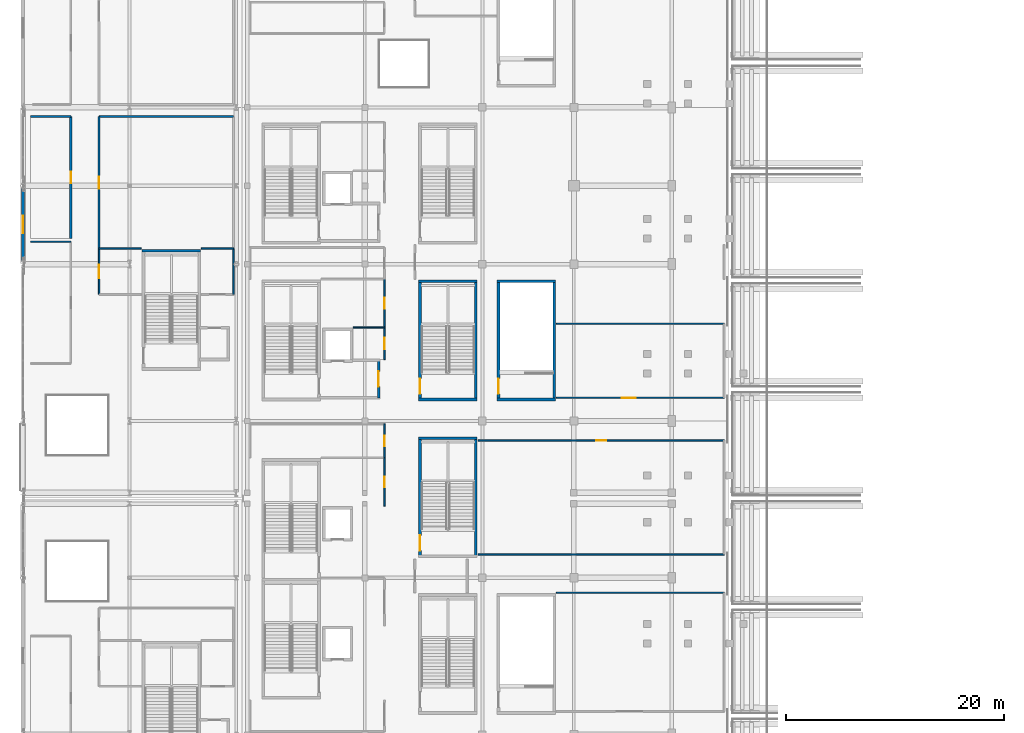
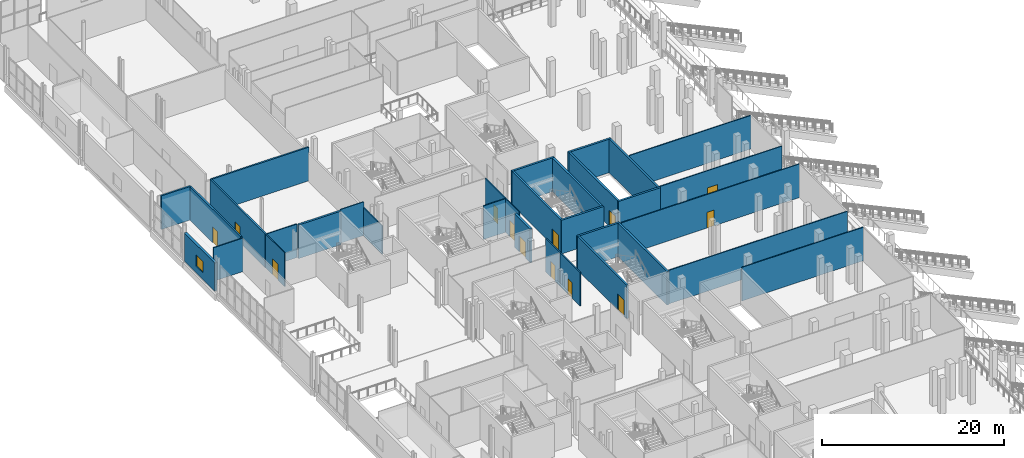
# One storey, part 75 of 129: 33 walls, 13 doors, 1 window, 14 openings.
"""IFC4 building model written with IfcOpenShell, lengths in metres."""

from ifc_helpers import new_model, si_unit, direction, frame, frame_2d, origin, place, context, subcontext, project, spatial, rectangle, extrude, material, layer, layer_set, type_object, element, fill, save


model = new_model("IFC4")

# Units and contexts
model_context = context("Model", 3, precision=1e-05, world=origin(), true_north=direction((0.0, 1.0)))
body_context = subcontext(model_context, "Body", "Model", "MODEL_VIEW")
ifc_project = project(units=[si_unit("LENGTHUNIT", "METRE"), si_unit("AREAUNIT", "SQUARE_METRE"), si_unit("VOLUMEUNIT", "CUBIC_METRE"), si_unit("PLANEANGLEUNIT", "RADIAN"), si_unit("MASSUNIT", "GRAM", prefix="KILO")], contexts=[model_context])

# Site, building, storey
site_placement = place(None, origin())
site = spatial("IfcSite", under=ifc_project, at=site_placement, CompositionType="ELEMENT")
building_placement = place(site_placement, origin())
building = spatial("IfcBuilding", under=site, at=building_placement, Name="Koshinbarg Plaza Stadium", CompositionType="ELEMENT")
storey_placement = place(building_placement, frame((0.0, 0.0, 5.39990234375)))
storey = spatial("IfcBuildingStorey", under=building, at=storey_placement, Name="L01", CompositionType="ELEMENT", Elevation=5.39990234375)

# Walls
ifc_material_1 = material(Name="Concrete C40/50", Category="concrete")
ifc_layer_1 = layer(ifc_material_1, 0.25)
ifc_layer_set_1 = layer_set([ifc_layer_1], Name="Concrete C40/50")
wall_type_1 = type_object("IfcWallType", Name="WL-CORE-250", PredefinedType="SHEAR", material=ifc_layer_set_1)
wall_1_placement = place(storey_placement, frame((20.320068359375, 98.72509765625, 0.0), z_axis=(0.0, 0.0, 1.0), x_axis=(-1.0, 0.0, 0.0)))
element("IfcWall", 1, at=wall_1_placement, inside=storey, type_object=wall_type_1, Name="L01 core stair shear wall C15-far IWL-L01-0335", PredefinedType="SHEAR", context=body_context, shape_type="SweptSolid", body=[
    extrude(rectangle(XDim=5.3701171875, YDim=0.25, at=frame_2d((2.68505859375, 0.0))), origin(), (0.0, 0.0, 1.0), 4.5),
])
wall_2_placement = place(storey_placement, frame((45.719970703125, 81.52490234375, 0.0), z_axis=(0.0, 0.0, 1.0), x_axis=(-1.0, 0.0, 0.0)))
element("IfcWall", 2, at=wall_2_placement, inside=storey, type_object=wall_type_1, Name="L01 vomitory stair shear wall VX04-far IWL-L01-0407", PredefinedType="SHEAR", context=body_context, shape_type="SweptSolid", body=[
    extrude(rectangle(XDim=5.369873046875, YDim=0.25, at=frame_2d((2.68505859375, 0.0))), origin(), (0.0, 0.0, 1.0), 4.5),
])

# Wall, opening, door
wall_3_placement = place(storey_placement, frame((40.47509765625, 70.675048828125, 0.0), z_axis=(0.0, 0.0, 1.0), x_axis=(0.0, 1.0, 0.0)))
wall_3 = element("IfcWall", 3, at=wall_3_placement, inside=storey, type_object=wall_type_1, Name="L01 vomitory stair shear wall VX04-left IWL-L01-0408", PredefinedType="SHEAR", context=body_context, shape_type="SweptSolid", body=[
    extrude(rectangle(XDim=10.849853515625, YDim=0.25, at=frame_2d((5.4248046875, 0.0))), origin(), (0.0, 0.0, 1.0), 4.5),
])
opening_1_placement = place(wall_3_placement, frame((0.52001953125, 0.0, 0.0)))
opening_1 = element("IfcOpeningElement", 4, at=opening_1_placement, cuts=wall_3, Name="Opening D-0164", PredefinedType="OPENING", context=body_context, shape_type="SweptSolid", body=[
    extrude(rectangle(XDim=1.39990234375, YDim=2.14990234375, at=frame_2d((0.699951171875, 1.074951171875))), frame((0.0, 0.135009765625, 0.0), z_axis=(0.0, -1.0, 0.0), x_axis=(1.0, 0.0, 0.0)), (0.0, 0.0, 1.0), 0.27001953125),
])
ifc_material_2 = material(Name="Painted galvanized steel fire door", Category="steel")
door_type_1 = type_object("IfcDoorType", Name="DR-STAIR-1400", OperationType="NOTDEFINED", PredefinedType="DOOR", material=ifc_material_2)
door_1_placement = place(opening_1_placement, frame((1.39990234375, 0.0, 0.0), z_axis=(0.0, 0.0, 1.0), x_axis=(-1.0, 0.0, 0.0)))
door_1 = element("IfcDoor", 5, at=door_1_placement, inside=storey, type_object=door_type_1, Name="L01 vomitory exit stair door VX04", OperationType="SINGLE_SWING_RIGHT", OverallHeight=2.14990234375, OverallWidth=1.39990234375, PredefinedType="DOOR", context=body_context, shape_type="SweptSolid", body=[
    extrude(rectangle(XDim=1.39990234375, YDim=2.14990234375, at=frame_2d((0.699951171875, 1.074951171875))), frame((0.0, 0.02490234375, 0.0), z_axis=(0.0, -1.0, 0.0), x_axis=(1.0, 0.0, 0.0)), (0.0, 0.0, 1.0), 0.050048828125),
])
fill(opening_1, door_1)

# Walls
wall_4_placement = place(storey_placement, frame((45.594970703125, 70.675048828125, 0.0), z_axis=(0.0, 0.0, 1.0), x_axis=(0.0, 1.0, 0.0)))
element("IfcWall", 6, at=wall_4_placement, inside=storey, type_object=wall_type_1, Name="L01 vomitory stair shear wall VX04-right IWL-L01-0409", PredefinedType="SHEAR", context=body_context, shape_type="SweptSolid", body=[
    extrude(rectangle(XDim=10.849853515625, YDim=0.25, at=frame_2d((5.4248046875, 0.0))), origin(), (0.0, 0.0, 1.0), 4.5),
])
for number, where, z_axis, x_axis, name in (
    (7, (40.35009765625, 85.074951171875, 0.0), (0.0, 0.0, 1.0), (1.0, 0.0, 0.0), "L01 vomitory stair shear wall VX05-near IWL-L01-0422"),
    (8, (45.719970703125, 95.925048828125, 0.0), (0.0, 0.0, 1.0), (-1.0, 0.0, 0.0), "L01 vomitory stair shear wall VX05-far IWL-L01-0423"),
):
    element("IfcWall", number, at=place(storey_placement, frame(where, z_axis=z_axis, x_axis=x_axis)), inside=storey, type_object=wall_type_1, Name=name, PredefinedType="SHEAR", context=body_context, shape_type="SweptSolid", body=[
        extrude(rectangle(XDim=5.369873046875, YDim=0.25, at=frame_2d((2.68505859375, 0.0))), origin(), (0.0, 0.0, 1.0), 4.5),
    ])

# Wall, opening, door
wall_5_placement = place(storey_placement, frame((40.47509765625, 85.074951171875, 0.0), z_axis=(0.0, 0.0, 1.0), x_axis=(0.0, 1.0, 0.0)))
wall_5 = element("IfcWall", 9, at=wall_5_placement, inside=storey, type_object=wall_type_1, Name="L01 vomitory stair shear wall VX05-left IWL-L01-0424", PredefinedType="SHEAR", context=body_context, shape_type="SweptSolid", body=[
    extrude(rectangle(XDim=10.85009765625, YDim=0.25, at=frame_2d((5.425048828125, 0.0))), origin(), (0.0, 0.0, 1.0), 4.5),
])
opening_2_placement = place(wall_5_placement, frame((0.52001953125, 0.0, 0.0)))
opening_2 = element("IfcOpeningElement", 10, at=opening_2_placement, cuts=wall_5, Name="Opening D-0168", PredefinedType="OPENING", context=body_context, shape_type="SweptSolid", body=[
    extrude(rectangle(XDim=1.39990234375, YDim=2.14990234375, at=frame_2d((0.699951171875, 1.074951171875))), frame((0.0, 0.135009765625, 0.0), z_axis=(0.0, -1.0, 0.0), x_axis=(1.0, 0.0, 0.0)), (0.0, 0.0, 1.0), 0.27001953125),
])
door_2_placement = place(opening_2_placement, frame((1.39990234375, 0.0, 0.0), z_axis=(0.0, 0.0, 1.0), x_axis=(-1.0, 0.0, 0.0)))
door_2 = element("IfcDoor", 11, at=door_2_placement, inside=storey, type_object=door_type_1, Name="L01 vomitory exit stair door VX05", OperationType="SINGLE_SWING_LEFT", OverallHeight=2.14990234375, OverallWidth=1.39990234375, PredefinedType="DOOR", context=body_context, shape_type="SweptSolid", body=[
    extrude(rectangle(XDim=1.39990234375, YDim=2.14990234375, at=frame_2d((0.699951171875, 1.074951171875))), frame((0.0, 0.02490234375, 0.0), z_axis=(0.0, -1.0, 0.0), x_axis=(1.0, 0.0, 0.0)), (0.0, 0.0, 1.0), 0.050048828125),
])
fill(opening_2, door_2)

# Walls
wall_6_placement = place(storey_placement, frame((45.594970703125, 85.074951171875, 0.0), z_axis=(0.0, 0.0, 1.0), x_axis=(0.0, 1.0, 0.0)))
element("IfcWall", 12, at=wall_6_placement, inside=storey, type_object=wall_type_1, Name="L01 vomitory stair shear wall VX05-right IWL-L01-0425", PredefinedType="SHEAR", context=body_context, shape_type="SweptSolid", body=[
    extrude(rectangle(XDim=10.85009765625, YDim=0.25, at=frame_2d((5.425048828125, 0.0))), origin(), (0.0, 0.0, 1.0), 4.5),
])
for number, where, z_axis, x_axis, name in (
    (13, (47.550048828125, 85.074951171875, 0.0), (0.0, 0.0, 1.0), (1.0, 0.0, 0.0), "L01 vomitory stair shear wall VL03-near IWL-L01-0566"),
    (14, (52.919921875, 95.925048828125, 0.0), (0.0, 0.0, 1.0), (-1.0, 0.0, 0.0), "L01 vomitory stair shear wall VL03-far IWL-L01-0567"),
):
    element("IfcWall", number, at=place(storey_placement, frame(where, z_axis=z_axis, x_axis=x_axis)), inside=storey, type_object=wall_type_1, Name=name, PredefinedType="SHEAR", context=body_context, shape_type="SweptSolid", body=[
        extrude(rectangle(XDim=5.369873046875, YDim=0.25, at=frame_2d((2.68505859375, 0.0))), origin(), (0.0, 0.0, 1.0), 4.5),
    ])

# Wall, opening, door
wall_7_placement = place(storey_placement, frame((47.675048828125, 85.074951171875, 0.0), z_axis=(0.0, 0.0, 1.0), x_axis=(0.0, 1.0, 0.0)))
wall_7 = element("IfcWall", 15, at=wall_7_placement, inside=storey, type_object=wall_type_1, Name="L01 vomitory stair shear wall VL03-left IWL-L01-0568", PredefinedType="SHEAR", context=body_context, shape_type="SweptSolid", body=[
    extrude(rectangle(XDim=10.85009765625, YDim=0.25, at=frame_2d((5.425048828125, 0.0))), origin(), (0.0, 0.0, 1.0), 4.5),
])
opening_3_placement = place(wall_7_placement, frame((0.52001953125, 0.0, 0.0)))
opening_3 = element("IfcOpeningElement", 16, at=opening_3_placement, cuts=wall_7, Name="Opening D-0204", PredefinedType="OPENING", context=body_context, shape_type="SweptSolid", body=[
    extrude(rectangle(XDim=1.39990234375, YDim=2.14990234375, at=frame_2d((0.699951171875, 1.074951171875))), frame((0.0, 0.135009765625, 0.0), z_axis=(0.0, -1.0, 0.0), x_axis=(1.0, 0.0, 0.0)), (0.0, 0.0, 1.0), 0.27001953125),
])
door_3_placement = place(opening_3_placement, frame((1.39990234375, 0.0, 0.0), z_axis=(0.0, 0.0, 1.0), x_axis=(-1.0, 0.0, 0.0)))
door_3 = element("IfcDoor", 17, at=door_3_placement, inside=storey, type_object=door_type_1, Name="L01 vomitory exit stair door VL03", OperationType="SINGLE_SWING_LEFT", OverallHeight=2.14990234375, OverallWidth=1.39990234375, PredefinedType="DOOR", context=body_context, shape_type="SweptSolid", body=[
    extrude(rectangle(XDim=1.39990234375, YDim=2.14990234375, at=frame_2d((0.699951171875, 1.074951171875))), frame((0.0, 0.02490234375, 0.0), z_axis=(0.0, -1.0, 0.0), x_axis=(1.0, 0.0, 0.0)), (0.0, 0.0, 1.0), 0.050048828125),
])
fill(opening_3, door_3)

# Wall
wall_8_placement = place(storey_placement, frame((52.794921875, 85.074951171875, 0.0), z_axis=(0.0, 0.0, 1.0), x_axis=(0.0, 1.0, 0.0)))
element("IfcWall", 18, at=wall_8_placement, inside=storey, type_object=wall_type_1, Name="L01 vomitory stair shear wall VL03-right IWL-L01-0569", PredefinedType="SHEAR", context=body_context, shape_type="SweptSolid", body=[
    extrude(rectangle(XDim=10.85009765625, YDim=0.25, at=frame_2d((5.425048828125, 0.0))), origin(), (0.0, 0.0, 1.0), 4.5),
])

# Wall, opening, door
wall_9_placement = place(storey_placement, frame((36.675048828125, 85.22509765625, 0.0), z_axis=(0.0, 0.0, 1.0), x_axis=(0.0, 1.0, 0.0)))
wall_9 = element("IfcWall", 19, at=wall_9_placement, inside=storey, type_object=wall_type_1, Name="L01 firefighting lobby wall C05-E IWL-L01-0775", PredefinedType="SHEAR", context=body_context, shape_type="SweptSolid", body=[
    extrude(rectangle(XDim=3.449951171875, YDim=0.25, at=frame_2d((1.72509765625, 0.0))), origin(), (0.0, 0.0, 1.0), 4.5),
])
opening_4_placement = place(wall_9_placement, frame((1.02490234375, 0.0, 0.0)))
opening_4 = element("IfcOpeningElement", 20, at=opening_4_placement, cuts=wall_9, Name="Opening D-0260", PredefinedType="OPENING", context=body_context, shape_type="SweptSolid", body=[
    extrude(rectangle(XDim=1.39990234375, YDim=2.14990234375, at=frame_2d((0.699951171875, 1.074951171875))), frame((0.0, 0.135009765625, 0.0), z_axis=(0.0, -1.0, 0.0), x_axis=(1.0, 0.0, 0.0)), (0.0, 0.0, 1.0), 0.27001953125),
])
ifc_material_3 = material(Name="Smoke-sealed steel firefighting lobby door", Category="steel")
door_type_2 = type_object("IfcDoorType", Name="DR-FFLOB-1400", OperationType="NOTDEFINED", PredefinedType="DOOR", material=ifc_material_3)
door_4_placement = place(opening_4_placement, origin())
door_4 = element("IfcDoor", 21, at=door_4_placement, inside=storey, type_object=door_type_2, Name="L01 firefighting lobby fire door C05", OperationType="DOUBLE_DOOR_SINGLE_SWING", OverallHeight=2.14990234375, OverallWidth=1.39990234375, PredefinedType="DOOR", context=body_context, shape_type="SweptSolid", body=[
    extrude(rectangle(XDim=1.39990234375, YDim=2.14990234375, at=frame_2d((0.699951171875, 1.074951171875))), frame((0.0, 0.02490234375, 0.0), z_axis=(0.0, -1.0, 0.0), x_axis=(1.0, 0.0, 0.0)), (0.0, 0.0, 1.0), 0.050048828125),
])
fill(opening_4, door_4)

# Wall, opening, window
ifc_material_4 = material(Name="Off-white mineral plaster insulated wall", Category="masonry")
ifc_layer_2 = layer(ifc_material_4, 0.300048828125)
ifc_layer_set_2 = layer_set([ifc_layer_2], Name="Off-white mineral plaster insulated wall")
wall_type_2 = type_object("IfcWallType", Name="WL-EXT-300", PredefinedType="SOLIDWALL", material=ifc_layer_set_2)
wall_10_placement = place(storey_placement, frame((4.0, 97.794921875, 0.0), z_axis=(0.0, 0.0, 1.0), x_axis=(0.0, 1.0, 0.0)))
wall_10 = element("IfcWall", 22, at=wall_10_placement, inside=storey, type_object=wall_type_2, Name="L01 exterior envelope wall EWL-L01-0077", PredefinedType="SOLIDWALL", context=body_context, shape_type="SweptSolid", body=[
    extrude(rectangle(XDim=6.681640625, YDim=0.300048828125, at=frame_2d((3.3408203125, 0.0))), origin(), (0.0, 0.0, 1.0), 3.780029296875),
])
opening_5_placement = place(wall_10_placement, frame((2.540771484375, 0.0, 0.89990234375)))
opening_5 = element("IfcOpeningElement", 23, at=opening_5_placement, cuts=wall_10, Name="Opening WN03", PredefinedType="OPENING", context=body_context, shape_type="SweptSolid", body=[
    extrude(rectangle(XDim=1.60009765625, YDim=1.5, at=frame_2d((0.800048828125, 0.75))), frame((0.0, 0.159912109375, 0.0), z_axis=(0.0, -1.0, 0.0), x_axis=(1.0, 0.0, 0.0)), (0.0, 0.0, 1.0), 0.320068359375),
])
ifc_material_5 = material(Name="Solar-control double glazing in thermally broken aluminium frame", Category="aluminium")
window_type = type_object("IfcWindowType", Name="WN-FAC-03", PartitioningType="DOUBLE_PANEL_VERTICAL", PredefinedType="WINDOW", material=ifc_material_5)
window_placement = place(opening_5_placement, origin())
window = element("IfcWindow", 24, at=window_placement, inside=storey, type_object=window_type, Name="L01 facade window 0019", OverallHeight=1.5, OverallWidth=1.60009765625, PartitioningType="SINGLE_PANEL", PredefinedType="WINDOW", context=body_context, shape_type="SweptSolid", body=[
    extrude(rectangle(XDim=1.60009765625, YDim=1.5, at=frame_2d((0.800048828125, 0.75))), frame((0.0, 0.030029296875, 0.0), z_axis=(0.0, -1.0, 0.0), x_axis=(1.0, 0.0, 0.0)), (0.0, 0.0, 1.0), 0.06005859375),
])
fill(opening_5, window)

# Wall, opening, door
ifc_material_6 = material(Name="Gypsum board metal-stud acoustic partition")
ifc_layer_3 = layer(ifc_material_6, 0.1201171875)
ifc_layer_set_3 = layer_set([ifc_layer_3], Name="Gypsum board metal-stud acoustic partition")
wall_type_3 = type_object("IfcWallType", Name="WL-PART-120", PredefinedType="PARTITIONING", material=ifc_layer_set_3)
wall_11_placement = place(storey_placement, frame((37.199951171875, 79.72998046875, 0.0), z_axis=(0.0, 0.0, 1.0), x_axis=(0.0, 1.0, 0.0)))
wall_11 = element("IfcWall", 25, at=wall_11_placement, inside=storey, type_object=wall_type_3, Name="L01 interior partition L01-84-east IWL-L01-1363", PredefinedType="PARTITIONING", context=body_context, shape_type="SweptSolid", body=[
    extrude(rectangle(XDim=3.10009765625, YDim=0.1201171875, at=frame_2d((1.550048828125, 0.0))), origin(), (0.0, 0.0, 1.0), 4.5),
])
opening_6_placement = place(wall_11_placement, frame((1.070068359375, 0.0, 0.0)))
opening_6 = element("IfcOpeningElement", 26, at=opening_6_placement, cuts=wall_11, Name="Opening D-0450", PredefinedType="OPENING", context=body_context, shape_type="SweptSolid", body=[
    extrude(rectangle(XDim=0.9599609375, YDim=2.10009765625, at=frame_2d((0.47998046875, 1.050048828125))), frame((0.0, 0.070068359375, 0.0), z_axis=(0.0, -1.0, 0.0), x_axis=(1.0, 0.0, 0.0)), (0.0, 0.0, 1.0), 0.14013671875),
])
ifc_material_7 = material(Name="Solid-core oak veneer acoustic door")
door_type_3 = type_object("IfcDoorType", Name="DR-INT-0960x2100", OperationType="NOTDEFINED", PredefinedType="DOOR", material=ifc_material_7)
door_5_placement = place(opening_6_placement, origin())
door_5 = element("IfcDoor", 27, at=door_5_placement, inside=storey, type_object=door_type_3, Name="L01 Supporters' Heritage Salon door D-0450", OperationType="SINGLE_SWING_RIGHT", OverallHeight=2.10009765625, OverallWidth=0.9599609375, PredefinedType="DOOR", context=body_context, shape_type="SweptSolid", body=[
    extrude(rectangle(XDim=0.9599609375, YDim=2.10009765625, at=frame_2d((0.47998046875, 1.050048828125))), frame((0.0, 0.02490234375, 0.0), z_axis=(0.0, -1.0, 0.0), x_axis=(1.0, 0.0, 0.0)), (0.0, 0.0, 1.0), 0.050048828125),
])
fill(opening_6, door_5)

wall_12_placement = place(storey_placement, frame((37.199951171875, 75.280029296875, 0.0), z_axis=(0.0, 0.0, 1.0), x_axis=(0.0, 1.0, 0.0)))
wall_12 = element("IfcWall", 28, at=wall_12_placement, inside=storey, type_object=wall_type_3, Name="L01 interior partition L01-85-east IWL-L01-1366", PredefinedType="PARTITIONING", context=body_context, shape_type="SweptSolid", body=[
    extrude(rectangle(XDim=4.449951171875, YDim=0.1201171875, at=frame_2d((2.22509765625, 0.0))), origin(), (0.0, 0.0, 1.0), 4.5),
])
opening_7_placement = place(wall_12_placement, frame((1.7451171875, 0.0, 0.0)))
opening_7 = element("IfcOpeningElement", 29, at=opening_7_placement, cuts=wall_12, Name="Opening D-0451", PredefinedType="OPENING", context=body_context, shape_type="SweptSolid", body=[
    extrude(rectangle(XDim=0.9599609375, YDim=2.10009765625, at=frame_2d((0.47998046875, 1.050048828125))), frame((0.0, 0.070068359375, 0.0), z_axis=(0.0, -1.0, 0.0), x_axis=(1.0, 0.0, 0.0)), (0.0, 0.0, 1.0), 0.14013671875),
])
door_6_placement = place(opening_7_placement, origin())
door_6 = element("IfcDoor", 30, at=door_6_placement, inside=storey, type_object=door_type_3, Name="L01 Lower Public Concourse door D-0451", OperationType="SINGLE_SWING_LEFT", OverallHeight=2.10009765625, OverallWidth=0.9599609375, PredefinedType="DOOR", context=body_context, shape_type="SweptSolid", body=[
    extrude(rectangle(XDim=0.9599609375, YDim=2.10009765625, at=frame_2d((0.47998046875, 1.050048828125))), frame((0.0, 0.02490234375, 0.0), z_axis=(0.0, -1.0, 0.0), x_axis=(1.0, 0.0, 0.0)), (0.0, 0.0, 1.0), 0.050048828125),
])
fill(opening_7, door_6)

# Walls
wall_13_placement = place(storey_placement, frame((68.39990234375, 67.330078125, 0.0), z_axis=(0.0, 0.0, 1.0), x_axis=(-1.0, 0.0, 0.0)))
element("IfcWall", 31, at=wall_13_placement, inside=storey, type_object=wall_type_3, Name="L01 interior partition L01-86-north IWL-L01-1370", PredefinedType="PARTITIONING", context=body_context, shape_type="SweptSolid", body=[
    extrude(rectangle(XDim=15.39990234375, YDim=0.1201171875, at=frame_2d((7.699951171875, 0.0))), origin(), (0.0, 0.0, 1.0), 4.5),
])
wall_14_placement = place(storey_placement, frame((45.800048828125, 70.84912109375, 0.0), z_axis=(0.0, 0.0, 1.0), x_axis=(1.0, 0.0, 0.0)))
element("IfcWall", 32, at=wall_14_placement, inside=storey, type_object=wall_type_3, Name="L01 interior partition L01-87-south IWL-L01-1371", PredefinedType="PARTITIONING", context=body_context, shape_type="SweptSolid", body=[
    extrude(rectangle(XDim=22.599853515625, YDim=0.1201171875, at=frame_2d((11.2998046875, 0.0))), origin(), (0.0, 0.0, 1.0), 4.5),
])

# Wall, opening, door
wall_15_placement = place(storey_placement, frame((68.39990234375, 81.320068359375, 0.0), z_axis=(0.0, 0.0, 1.0), x_axis=(-1.0, 0.0, 0.0)))
wall_15 = element("IfcWall", 33, at=wall_15_placement, inside=storey, type_object=wall_type_3, Name="L01 interior partition L01-87-north IWL-L01-1373", PredefinedType="PARTITIONING", context=body_context, shape_type="SweptSolid", body=[
    extrude(rectangle(XDim=22.599853515625, YDim=0.1201171875, at=frame_2d((11.2998046875, 0.0))), origin(), (0.0, 0.0, 1.0), 4.5),
])
opening_8_placement = place(wall_15_placement, frame((10.840087890625, 0.0, 0.0)))
opening_8 = element("IfcOpeningElement", 34, at=opening_8_placement, cuts=wall_15, Name="Opening D-0453", PredefinedType="OPENING", context=body_context, shape_type="SweptSolid", body=[
    extrude(rectangle(XDim=0.919921875, YDim=2.10009765625, at=frame_2d((0.4599609375, 1.050048828125))), frame((0.0, 0.070068359375, 0.0), z_axis=(0.0, -1.0, 0.0), x_axis=(1.0, 0.0, 0.0)), (0.0, 0.0, 1.0), 0.14013671875),
])
door_type_4 = type_object("IfcDoorType", Name="DR-INT-0920x2100", OperationType="NOTDEFINED", PredefinedType="DOOR", material=ifc_material_7)
door_7_placement = place(opening_8_placement, origin())
door_7 = element("IfcDoor", 35, at=door_7_placement, inside=storey, type_object=door_type_4, Name="L01 Supporters' Heritage Salon door D-0453", OperationType="SINGLE_SWING_LEFT", OverallHeight=2.10009765625, OverallWidth=0.919921875, PredefinedType="DOOR", context=body_context, shape_type="SweptSolid", body=[
    extrude(rectangle(XDim=0.919921875, YDim=2.10009765625, at=frame_2d((0.4599609375, 1.050048828125))), frame((0.0, 0.02490234375, 0.0), z_axis=(0.0, -1.0, 0.0), x_axis=(1.0, 0.0, 0.0)), (0.0, 0.0, 1.0), 0.050048828125),
])
fill(opening_8, door_7)

wall_16_placement = place(storey_placement, frame((37.199951171875, 91.679931640625, 0.0), z_axis=(0.0, 0.0, 1.0), x_axis=(0.0, 1.0, 0.0)))
wall_16 = element("IfcWall", 36, at=wall_16_placement, inside=storey, type_object=wall_type_3, Name="L01 interior partition L01-89-east IWL-L01-1377", PredefinedType="PARTITIONING", context=body_context, shape_type="SweptSolid", body=[
    extrude(rectangle(XDim=4.449951171875, YDim=0.1201171875, at=frame_2d((2.22509765625, 0.0))), origin(), (0.0, 0.0, 1.0), 4.5),
])
opening_9_placement = place(wall_16_placement, frame((1.72509765625, 0.0, 0.0)))
opening_9 = element("IfcOpeningElement", 37, at=opening_9_placement, cuts=wall_16, Name="Opening D-0455", PredefinedType="OPENING", context=body_context, shape_type="SweptSolid", body=[
    extrude(rectangle(XDim=1.0, YDim=2.10009765625, at=frame_2d((0.5, 1.050048828125))), frame((0.0, 0.070068359375, 0.0), z_axis=(0.0, -1.0, 0.0), x_axis=(1.0, 0.0, 0.0)), (0.0, 0.0, 1.0), 0.14013671875),
])
ifc_material_8 = material(Name="Solid-core laminate accessible WC door")
door_type_5 = type_object("IfcDoorType", Name="DR-INT-1000x2100", OperationType="NOTDEFINED", PredefinedType="DOOR", material=ifc_material_8)
door_8_placement = place(opening_9_placement, origin())
door_8 = element("IfcDoor", 38, at=door_8_placement, inside=storey, type_object=door_type_5, Name="L01 Lower Public Concourse door D-0455", OperationType="SINGLE_SWING_LEFT", OverallHeight=2.10009765625, OverallWidth=1.0, PredefinedType="DOOR", context=body_context, shape_type="SweptSolid", body=[
    extrude(rectangle(XDim=1.0, YDim=2.10009765625, at=frame_2d((0.5, 1.050048828125))), frame((0.0, 0.02490234375, 0.0), z_axis=(0.0, -1.0, 0.0), x_axis=(1.0, 0.0, 0.0)), (0.0, 0.0, 1.0), 0.050048828125),
])
fill(opening_9, door_8)

wall_17_placement = place(storey_placement, frame((37.199951171875, 88.72998046875, 0.0), z_axis=(0.0, 0.0, 1.0), x_axis=(0.0, 1.0, 0.0)))
wall_17 = element("IfcWall", 39, at=wall_17_placement, inside=storey, type_object=wall_type_3, Name="L01 interior partition L01-90-east IWL-L01-1379", PredefinedType="PARTITIONING", context=body_context, shape_type="SweptSolid", body=[
    extrude(rectangle(XDim=2.949951171875, YDim=0.1201171875, at=frame_2d((1.47509765625, 0.0))), origin(), (0.0, 0.0, 1.0), 4.5),
])
opening_10_placement = place(wall_17_placement, frame((0.949951171875, 0.0, 0.0)))
opening_10 = element("IfcOpeningElement", 40, at=opening_10_placement, cuts=wall_17, Name="Opening D-0456", PredefinedType="OPENING", context=body_context, shape_type="SweptSolid", body=[
    extrude(rectangle(XDim=1.050048828125, YDim=2.14990234375, at=frame_2d((0.52490234375, 1.074951171875))), frame((0.0, 0.070068359375, 0.0), z_axis=(0.0, -1.0, 0.0), x_axis=(1.0, 0.0, 0.0)), (0.0, 0.0, 1.0), 0.14013671875),
])
ifc_material_9 = material(Name="Solid-core oak suite entrance door")
door_type_6 = type_object("IfcDoorType", Name="DR-INT-1050x2150", OperationType="NOTDEFINED", PredefinedType="DOOR", material=ifc_material_9)
door_9_placement = place(opening_10_placement, origin())
door_9 = element("IfcDoor", 41, at=door_9_placement, inside=storey, type_object=door_type_6, Name="L01 Supporters' Club Lounge door D-0456", OperationType="SINGLE_SWING_RIGHT", OverallHeight=2.14990234375, OverallWidth=1.050048828125, PredefinedType="DOOR", context=body_context, shape_type="SweptSolid", body=[
    extrude(rectangle(XDim=1.050048828125, YDim=2.14990234375, at=frame_2d((0.52490234375, 1.074951171875))), frame((0.0, 0.02490234375, 0.0), z_axis=(0.0, -1.0, 0.0), x_axis=(1.0, 0.0, 0.0)), (0.0, 0.0, 1.0), 0.050048828125),
])
fill(opening_10, door_9)

# Wall
wall_18_placement = place(storey_placement, frame((37.199951171875, 91.679931640625, 0.0), z_axis=(0.0, 0.0, 1.0), x_axis=(-1.0, 0.0, 0.0)))
element("IfcWall", 42, at=wall_18_placement, inside=storey, type_object=wall_type_3, Name="L01 interior partition L01-90-north IWL-L01-1380", PredefinedType="PARTITIONING", context=body_context, shape_type="SweptSolid", body=[
    extrude(rectangle(XDim=2.869873046875, YDim=0.1201171875, at=frame_2d((1.43505859375, 0.0))), origin(), (0.0, 0.0, 1.0), 4.5),
])

# Wall, opening, door
wall_19_placement = place(storey_placement, frame((53.0, 85.22998046875, 0.0), z_axis=(0.0, 0.0, 1.0), x_axis=(1.0, 0.0, 0.0)))
wall_19 = element("IfcWall", 43, at=wall_19_placement, inside=storey, type_object=wall_type_3, Name="L01 interior partition L01-93-south IWL-L01-1385", PredefinedType="PARTITIONING", context=body_context, shape_type="SweptSolid", body=[
    extrude(rectangle(XDim=15.39990234375, YDim=0.1201171875, at=frame_2d((7.699951171875, 0.0))), origin(), (0.0, 0.0, 1.0), 4.5),
])
opening_11_placement = place(wall_19_placement, frame((5.97802734375, 0.0, 0.0)))
opening_11 = element("IfcOpeningElement", 44, at=opening_11_placement, cuts=wall_19, Name="Opening D-0459", PredefinedType="OPENING", context=body_context, shape_type="SweptSolid", body=[
    extrude(rectangle(XDim=1.300048828125, YDim=2.199951171875, at=frame_2d((0.64990234375, 1.10009765625))), frame((0.0, 0.070068359375, 0.0), z_axis=(0.0, -1.0, 0.0), x_axis=(1.0, 0.0, 0.0)), (0.0, 0.0, 1.0), 0.14013671875),
])
ifc_material_10 = material(Name="Thermally broken anodised aluminium glazed door", Category="aluminium")
door_type_7 = type_object("IfcDoorType", Name="DR-INT-1300x2200", OperationType="NOTDEFINED", PredefinedType="DOOR", material=ifc_material_10)
door_10_placement = place(opening_11_placement, origin())
door_10 = element("IfcDoor", 45, at=door_10_placement, inside=storey, type_object=door_type_7, Name="L01 Lower Public Concourse door D-0459", OperationType="SINGLE_SWING_LEFT", OverallHeight=2.199951171875, OverallWidth=1.300048828125, PredefinedType="DOOR", context=body_context, shape_type="SweptSolid", body=[
    extrude(rectangle(XDim=1.300048828125, YDim=2.199951171875, at=frame_2d((0.64990234375, 1.10009765625))), frame((0.0, 0.02490234375, 0.0), z_axis=(0.0, -1.0, 0.0), x_axis=(1.0, 0.0, 0.0)), (0.0, 0.0, 1.0), 0.050048828125),
])
fill(opening_11, door_10)

# Walls
wall_20_placement = place(storey_placement, frame((68.39990234375, 92.023681640625, 0.0), z_axis=(0.0, 0.0, 1.0), x_axis=(-1.0, 0.0, 0.0)))
element("IfcWall", 46, at=wall_20_placement, inside=storey, type_object=wall_type_3, Name="L01 interior partition L01-93-north IWL-L01-1387", PredefinedType="PARTITIONING", context=body_context, shape_type="SweptSolid", body=[
    extrude(rectangle(XDim=15.39990234375, YDim=0.1201171875, at=frame_2d((7.699951171875, 0.0))), origin(), (0.0, 0.0, 1.0), 4.5),
])
wall_21_placement = place(storey_placement, frame((8.39990234375, 99.56494140625, 0.0), z_axis=(0.0, 0.0, 1.0), x_axis=(-1.0, 0.0, 0.0)))
element("IfcWall", 47, at=wall_21_placement, inside=storey, type_object=wall_type_3, Name="L01 interior partition L01-157-north IWL-L01-1563", PredefinedType="PARTITIONING", context=body_context, shape_type="SweptSolid", body=[
    extrude(rectangle(XDim=3.699951171875, YDim=0.1201171875, at=frame_2d((1.85009765625, 0.0))), origin(), (0.0, 0.0, 1.0), 4.5),
])
wall_22_placement = place(storey_placement, frame((14.8701171875, 98.929931640625, 0.0), z_axis=(0.0, 0.0, 1.0), x_axis=(-1.0, 0.0, 0.0)))
element("IfcWall", 48, at=wall_22_placement, inside=storey, type_object=wall_type_3, Name="L01 interior partition L01-160-north IWL-L01-1570", PredefinedType="PARTITIONING", context=body_context, shape_type="SweptSolid", body=[
    extrude(rectangle(XDim=3.8701171875, YDim=0.1201171875, at=frame_2d((1.93505859375, 0.0))), origin(), (0.0, 0.0, 1.0), 4.5),
])

# Wall, opening, door
wall_23_placement = place(storey_placement, frame((11.0, 98.929931640625, 0.0), z_axis=(0.0, 0.0, 1.0), x_axis=(0.0, -1.0, 0.0)))
wall_23 = element("IfcWall", 49, at=wall_23_placement, inside=storey, type_object=wall_type_3, Name="L01 interior partition L01-160-west IWL-L01-1571", PredefinedType="PARTITIONING", context=body_context, shape_type="SweptSolid", body=[
    extrude(rectangle(XDim=4.199951171875, YDim=0.1201171875, at=frame_2d((2.10009765625, 0.0))), origin(), (0.0, 0.0, 1.0), 4.5),
])
opening_12_placement = place(wall_23_placement, frame((1.5, 0.0, 0.0)))
opening_12 = element("IfcOpeningElement", 50, at=opening_12_placement, cuts=wall_23, Name="Opening D-0526", PredefinedType="OPENING", context=body_context, shape_type="SweptSolid", body=[
    extrude(rectangle(XDim=1.199951171875, YDim=2.14990234375, at=frame_2d((0.60009765625, 1.074951171875))), frame((0.0, 0.070068359375, 0.0), z_axis=(0.0, -1.0, 0.0), x_axis=(1.0, 0.0, 0.0)), (0.0, 0.0, 1.0), 0.14013671875),
])
ifc_material_11 = material(Name="Solid-core hardwood leaf in painted steel frame", Category="steel")
door_type_8 = type_object("IfcDoorType", Name="DR-INT-1200x2150", OperationType="NOTDEFINED", PredefinedType="DOOR", material=ifc_material_11)
door_11_placement = place(opening_12_placement, origin())
door_11 = element("IfcDoor", 51, at=door_11_placement, inside=storey, type_object=door_type_8, Name="L01 Northwest Arcade Concourse door D-0526", OperationType="SINGLE_SWING_RIGHT", OverallHeight=2.14990234375, OverallWidth=1.199951171875, PredefinedType="DOOR", context=body_context, shape_type="SweptSolid", body=[
    extrude(rectangle(XDim=1.199951171875, YDim=2.14990234375, at=frame_2d((0.60009765625, 1.074951171875))), frame((0.0, 0.02490234375, 0.0), z_axis=(0.0, -1.0, 0.0), x_axis=(1.0, 0.0, 0.0)), (0.0, 0.0, 1.0), 0.050048828125),
])
fill(opening_12, door_11)

# Walls
wall_24_placement = place(storey_placement, frame((23.35498046875, 94.72998046875, 0.0), z_axis=(0.0, 0.0, 1.0), x_axis=(0.0, 1.0, 0.0)))
element("IfcWall", 52, at=wall_24_placement, inside=storey, type_object=wall_type_3, Name="L01 interior partition L01-161-east IWL-L01-1573", PredefinedType="PARTITIONING", context=body_context, shape_type="SweptSolid", body=[
    extrude(rectangle(XDim=4.199951171875, YDim=0.1201171875, at=frame_2d((2.10009765625, 0.0))), origin(), (0.0, 0.0, 1.0), 3.780029296875),
])
wall_25_placement = place(storey_placement, frame((23.35498046875, 98.929931640625, 0.0), z_axis=(0.0, 0.0, 1.0), x_axis=(-1.0, 0.0, 0.0)))
element("IfcWall", 53, at=wall_25_placement, inside=storey, type_object=wall_type_3, Name="L01 interior partition L01-161-north IWL-L01-1574", PredefinedType="PARTITIONING", context=body_context, shape_type="SweptSolid", body=[
    extrude(rectangle(XDim=2.955078125, YDim=0.1201171875, at=frame_2d((1.4775390625, 0.0))), origin(), (0.0, 0.0, 1.0), 4.5),
])

# Wall, opening, door
ifc_material_12 = material(Name="Autoclaved aerated blockwork fire partition", Category="masonry")
ifc_layer_4 = layer(ifc_material_12, 0.199951171875)
ifc_layer_set_4 = layer_set([ifc_layer_4], Name="Autoclaved aerated blockwork fire partition")
wall_type_4 = type_object("IfcWallType", Name="WL-PART-200", PredefinedType="PARTITIONING", material=ifc_layer_set_4)
wall_26_placement = place(storey_placement, frame((8.39990234375, 99.864990234375, 0.0), z_axis=(0.0, 0.0, 1.0), x_axis=(0.0, 1.0, 0.0)))
wall_26 = element("IfcWall", 54, at=wall_26_placement, inside=storey, type_object=wall_type_4, Name="L01 interior partition L01-158-east IWL-L01-1564", PredefinedType="PARTITIONING", context=body_context, shape_type="SweptSolid", body=[
    extrude(rectangle(XDim=11.18505859375, YDim=0.199951171875, at=frame_2d((5.592529296875, 0.0))), origin(), (0.0, 0.0, 1.0), 4.5),
])
opening_13_placement = place(wall_26_placement, frame((5.0673828125, 0.0, 0.0)))
opening_13 = element("IfcOpeningElement", 55, at=opening_13_placement, cuts=wall_26, Name="Opening D-0524", PredefinedType="OPENING", context=body_context, shape_type="SweptSolid", body=[
    extrude(rectangle(XDim=1.050048828125, YDim=2.14990234375, at=frame_2d((0.52490234375, 1.074951171875))), frame((0.0, 0.10986328125, 0.0), z_axis=(0.0, -1.0, 0.0), x_axis=(1.0, 0.0, 0.0)), (0.0, 0.0, 1.0), 0.219970703125),
])
door_12_placement = place(opening_13_placement, origin())
door_12 = element("IfcDoor", 56, at=door_12_placement, inside=storey, type_object=door_type_6, Name="L01 Ticketing Operations Room door D-0524", OperationType="SINGLE_SWING_RIGHT", OverallHeight=2.14990234375, OverallWidth=1.050048828125, PredefinedType="DOOR", context=body_context, shape_type="SweptSolid", body=[
    extrude(rectangle(XDim=1.050048828125, YDim=2.14990234375, at=frame_2d((0.52490234375, 1.074951171875))), frame((0.0, 0.02490234375, 0.0), z_axis=(0.0, -1.0, 0.0), x_axis=(1.0, 0.0, 0.0)), (0.0, 0.0, 1.0), 0.050048828125),
])
fill(opening_13, door_12)

# Walls
wall_27_placement = place(storey_placement, frame((8.39990234375, 111.050048828125, 0.0), z_axis=(0.0, 0.0, 1.0), x_axis=(-1.0, 0.0, 0.0)))
element("IfcWall", 57, at=wall_27_placement, inside=storey, type_object=wall_type_4, Name="L01 interior partition L01-158-north IWL-L01-1565", PredefinedType="PARTITIONING", context=body_context, shape_type="SweptSolid", body=[
    extrude(rectangle(XDim=3.699951171875, YDim=0.199951171875, at=frame_2d((1.85009765625, 0.0))), origin(), (0.0, 0.0, 1.0), 4.5),
])
wall_28_placement = place(storey_placement, frame((23.35498046875, 111.050048828125, 0.0), z_axis=(0.0, 0.0, 1.0), x_axis=(-1.0, 0.0, 0.0)))
element("IfcWall", 58, at=wall_28_placement, inside=storey, type_object=wall_type_4, Name="L01 interior partition L01-159-north IWL-L01-1567", PredefinedType="PARTITIONING", context=body_context, shape_type="SweptSolid", body=[
    extrude(rectangle(XDim=12.35498046875, YDim=0.199951171875, at=frame_2d((6.177490234375, 0.0))), origin(), (0.0, 0.0, 1.0), 4.5),
])

# Wall, opening, door
wall_29_placement = place(storey_placement, frame((11.0, 111.050048828125, 0.0), z_axis=(0.0, 0.0, 1.0), x_axis=(0.0, -1.0, 0.0)))
wall_29 = element("IfcWall", 59, at=wall_29_placement, inside=storey, type_object=wall_type_4, Name="L01 interior partition L01-159-west IWL-L01-1568", PredefinedType="PARTITIONING", context=body_context, shape_type="SweptSolid", body=[
    extrude(rectangle(XDim=12.1201171875, YDim=0.199951171875, at=frame_2d((6.06005859375, 0.0))), origin(), (0.0, 0.0, 1.0), 4.5),
])
opening_14_placement = place(wall_29_placement, frame((5.5, 0.0, 0.0)))
opening_14 = element("IfcOpeningElement", 60, at=opening_14_placement, cuts=wall_29, Name="Opening D-0525", PredefinedType="OPENING", context=body_context, shape_type="SweptSolid", body=[
    extrude(rectangle(XDim=1.1201171875, YDim=2.14990234375, at=frame_2d((0.56005859375, 1.074951171875))), frame((0.0, 0.10986328125, 0.0), z_axis=(0.0, -1.0, 0.0), x_axis=(1.0, 0.0, 0.0)), (0.0, 0.0, 1.0), 0.219970703125),
])
ifc_material_13 = material(Name="Acoustic timber broadcast studio door", Category="wood")
door_type_9 = type_object("IfcDoorType", Name="DR-INT-1120x2150", OperationType="NOTDEFINED", PredefinedType="DOOR", material=ifc_material_13)
door_13_placement = place(opening_14_placement, origin())
door_13 = element("IfcDoor", 61, at=door_13_placement, inside=storey, type_object=door_type_9, Name="L01 Ticketing Operations Room door D-0525", OperationType="SINGLE_SWING_LEFT", OverallHeight=2.14990234375, OverallWidth=1.1201171875, PredefinedType="DOOR", context=body_context, shape_type="SweptSolid", body=[
    extrude(rectangle(XDim=1.1201171875, YDim=2.14990234375, at=frame_2d((0.56005859375, 1.074951171875))), frame((0.0, 0.02490234375, 0.0), z_axis=(0.0, -1.0, 0.0), x_axis=(1.0, 0.0, 0.0)), (0.0, 0.0, 1.0), 0.050048828125),
])
fill(opening_14, door_13)

save(model, "model.ifc")
